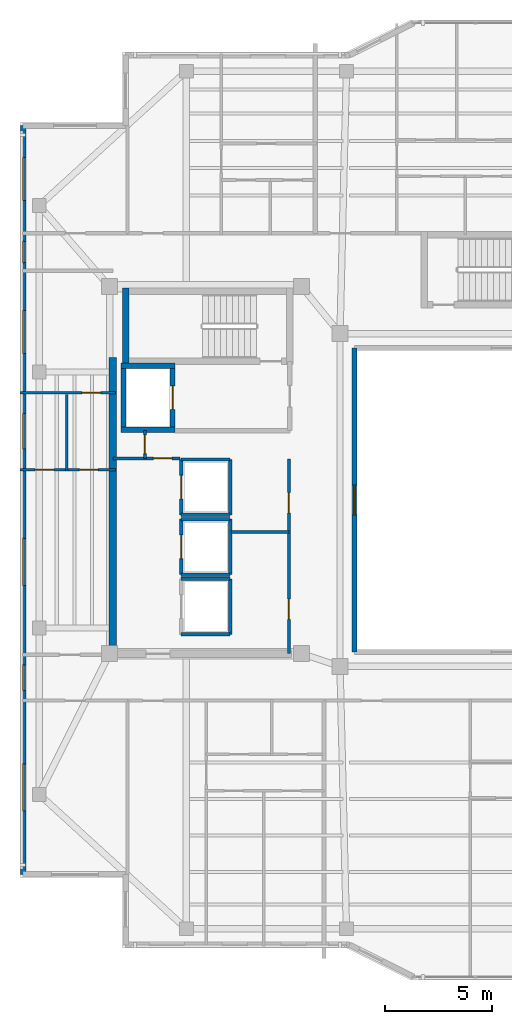
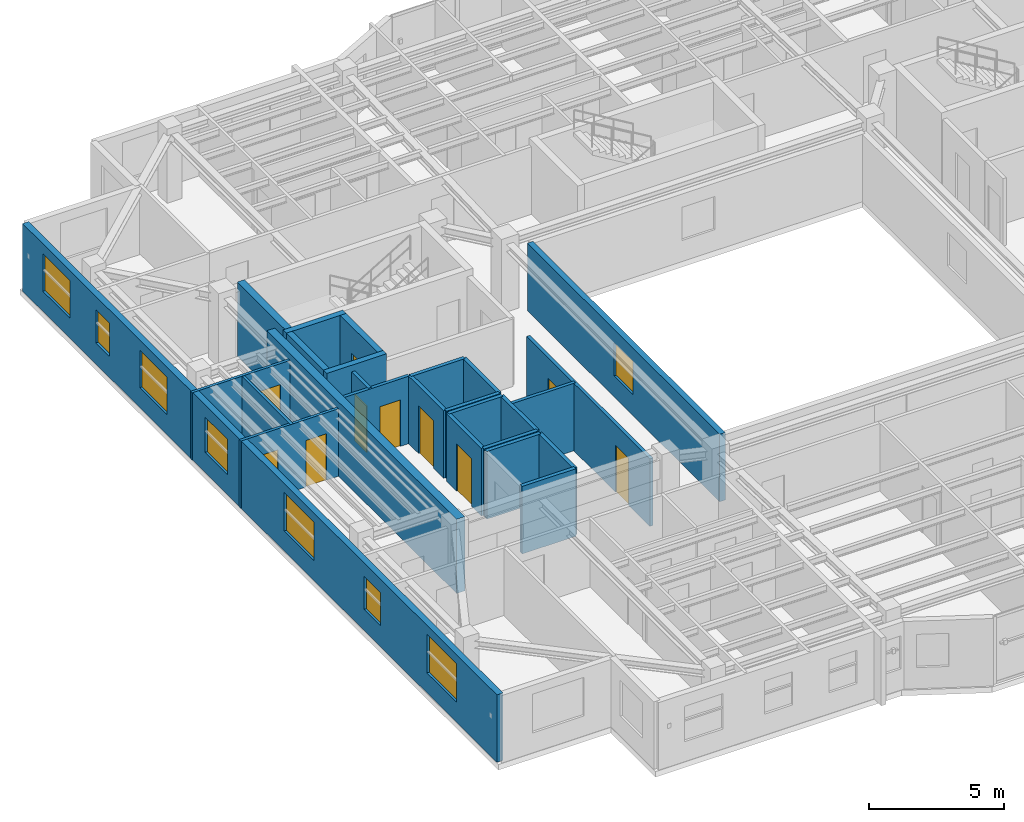
# One storey, part 7 of 15: 26 walls, 10 doors, 8 windows, 18 openings.
"""IFC4 building model written with IfcOpenShell, lengths in metres."""

import ifcopenshell
import ifcopenshell.guid

model = None  # the IFC model being written
_history = None  # IfcOwnerHistory: only IFC2X3 demands one
_inside = {}  # id of a spatial element -> (the spatial element, [elements in it])
_under = {}  # id of a project, library or spatial element -> (it, [spatial elements below it])
_declared = {}  # id of a project -> (the project, [libraries it declares])
_typed = {}  # id of a type object -> (the type object, [elements of that type])
_made_of = {}  # id of a material, layer set ... -> (it, [elements and type objects made of it])


def new_model(schema):
    """Start an empty IFC model of exactly this schema.

    Asked for "IFC4X3", IfcOpenShell would pick the latest addendum, in which some entities
    have other attributes; the version numbers below select the first issue.
    IFC2X3 requires an IfcOwnerHistory on every rooted entity: one is made here for all.
    """
    global model, _history
    if schema == "IFC4X3":
        model = ifcopenshell.file(schema_version=(4, 3, 0, 0))
    else:
        model = ifcopenshell.file(schema=schema)
    _inside.clear()
    _under.clear()
    _declared.clear()
    _typed.clear()
    _made_of.clear()
    _history = None
    if model.schema == "IFC2X3":
        org = make("IfcOrganization", Name="unknown")
        user = make(
            "IfcPersonAndOrganization",
            ThePerson=make("IfcPerson", FamilyName="unknown"),
            TheOrganization=org,
        )
        app = make(
            "IfcApplication",
            ApplicationDeveloper=org,
            Version="unknown",
            ApplicationFullName="unknown",
            ApplicationIdentifier="unknown",
        )
        _history = make(
            "IfcOwnerHistory",
            OwningUser=user,
            OwningApplication=app,
            ChangeAction="ADDED",
            CreationDate=0,
        )
    return model


def make(cls, **values):
    """One entity of the class cls with the attributes given. An attribute that is None is left unset."""
    return model.create_entity(
        cls, **{name: value for name, value in values.items() if value is not None}
    )


def rooted(cls, **values):
    """An entity with a GlobalId (a new one), such as an element, a storey or a relation."""
    return make(cls, GlobalId=ifcopenshell.guid.new(), OwnerHistory=_history, **values)


def si_unit(unit_type, name, prefix=None):
    """IfcSIUnit, for example si_unit("LENGTHUNIT", "METRE", prefix="MILLI")."""
    return make("IfcSIUnit", UnitType=unit_type, Prefix=prefix, Name=name)


def assignment(units):
    """IfcUnitAssignment: the units of a project."""
    return None if units is None else make("IfcUnitAssignment", Units=units)


def point(xyz):
    """IfcCartesianPoint."""
    return None if xyz is None else make("IfcCartesianPoint", Coordinates=xyz)


def direction(xyz):
    """IfcDirection."""
    return None if xyz is None else make("IfcDirection", DirectionRatios=xyz)


def frame(location, z_axis=None, x_axis=None):
    """IfcAxis2Placement3D, a coordinate frame: its origin and axes. An axis left out is left unset."""
    return make(
        "IfcAxis2Placement3D",
        Location=point(location),
        Axis=direction(z_axis),
        RefDirection=direction(x_axis),
    )


def frame_2d(location, x_axis=None):
    """IfcAxis2Placement2D, a coordinate frame in the plane: its origin and x axis."""
    return make(
        "IfcAxis2Placement2D", Location=point(location), RefDirection=direction(x_axis)
    )


def origin():
    """The frame at (0, 0, 0) with its axes left unset."""
    return frame((0.0, 0.0, 0.0))


def place(relative_to, where):
    """IfcLocalPlacement: puts the frame where relative to a parent placement (None: the world)."""
    return make(
        "IfcLocalPlacement", PlacementRelTo=relative_to, RelativePlacement=where
    )


def context(
    kind, dimensions, precision=None, world=None, true_north=None, identifier=None
):
    """IfcGeometricRepresentationContext, for example the 3D "Model" context."""
    return make(
        "IfcGeometricRepresentationContext",
        ContextIdentifier=identifier,
        ContextType=kind,
        CoordinateSpaceDimension=dimensions,
        Precision=precision,
        WorldCoordinateSystem=world,
        TrueNorth=true_north,
    )


def subcontext(parent, identifier, kind, view, scale=None):
    """IfcGeometricRepresentationSubContext, for example "Body" below "Model"."""
    return make(
        "IfcGeometricRepresentationSubContext",
        ContextIdentifier=identifier,
        ContextType=kind,
        ParentContext=parent,
        TargetScale=scale,
        TargetView=view,
    )


def project(units=None, contexts=None):
    """IfcProject with its units and contexts."""
    return rooted(
        "IfcProject",
        Name="project",
        RepresentationContexts=contexts,
        UnitsInContext=assignment(units),
    )


def spatial(cls, under=None, at=None, **own):
    """A site, building, storey or space (cls), placed at a placement, below another one or the project."""
    s = rooted(cls, ObjectPlacement=at, **own)
    if under is not None:
        _under.setdefault(under.id(), (under, []))[1].append(s)
    return s


def profile(cls, at=None, kind="AREA", **sizes):
    """A parametric profile (cls). Its sizes go by their IFC names, for example OverallWidth=200.0."""
    return make(cls, ProfileType=kind, Position=at, **sizes)


def rectangle(**sizes):
    """IfcRectangleProfileDef."""
    return profile("IfcRectangleProfileDef", **sizes)


def extrude(swept, where, along, depth):
    """IfcExtrudedAreaSolid: the profile swept, set in the frame where, extruded along a direction by depth."""
    return make(
        "IfcExtrudedAreaSolid",
        SweptArea=swept,
        Position=where,
        ExtrudedDirection=direction(along),
        Depth=depth,
    )


def shape(context_of_items, identifier, shape_type, items):
    """IfcShapeRepresentation: the items that make up one representation, for example the "Body"."""
    return make(
        "IfcShapeRepresentation",
        ContextOfItems=context_of_items,
        RepresentationIdentifier=identifier,
        RepresentationType=shape_type,
        Items=items,
    )


def material(Name=None, Category=None):
    """IfcMaterial."""
    return make("IfcMaterial", Name=Name, Category=Category)


def layer(
    of_material, thickness, ventilated=None, Name=None, Category=None, Priority=None
):
    """IfcMaterialLayer: one layer of a wall or slab, of a material (None: an air gap)."""
    return make(
        "IfcMaterialLayer",
        Material=of_material,
        LayerThickness=thickness,
        IsVentilated=ventilated,
        Name=Name,
        Category=Category,
        Priority=Priority,
    )


def layer_set(layers, Name=None):
    """IfcMaterialLayerSet."""
    return make("IfcMaterialLayerSet", MaterialLayers=layers, LayerSetName=Name)


def made_of(thing, what):
    """Note that an element or type object is made of a material, layer set ...; save() writes the relation."""
    if what is not None:
        _made_of.setdefault(what.id(), (what, []))[1].append(thing)
    return thing


def type_object(cls, material=None, **own):
    """A type object (cls), such as IfcWallType, which elements share."""
    return made_of(rooted(cls, **own), material)


def element(
    cls,
    number,
    at=None,
    inside=None,
    cuts=None,
    type_object=None,
    material=None,
    context=None,
    identifier="Body",
    shape_type=None,
    held_by="IfcProductDefinitionShape",
    body=None,
    shapes=None,
    **own,
):
    """One element of the class cls, such as IfcWall. Its Tag is "e" and its number.

    at: its placement. inside: the storey or other place that contains it. cuts: it is an
    opening in that element (IfcRelVoidsElement). A single representation is given by context,
    identifier, shape_type and body (its items); several are given by shapes. held_by: the class
    of the entity that holds the representations. save() writes the other relations.
    """
    e = rooted(cls, Tag="e%d" % number, ObjectPlacement=at, **own)
    if body is not None:
        shapes = [shape(context, identifier, shape_type, body)]
    if shapes is not None:
        e.Representation = make(held_by, Representations=shapes)
    if inside is not None:
        _inside.setdefault(inside.id(), (inside, []))[1].append(e)
    if cuts is not None:
        rooted(
            "IfcRelVoidsElement", RelatingBuildingElement=cuts, RelatedOpeningElement=e
        )
    if type_object is not None:
        _typed.setdefault(type_object.id(), (type_object, []))[1].append(e)
    return made_of(e, material)


def fill(opening, filler):
    """IfcRelFillsElement: the door or window that sits in an opening."""
    return rooted(
        "IfcRelFillsElement",
        RelatingOpeningElement=opening,
        RelatedBuildingElement=filler,
    )


def aggregate(whole, parts):
    """IfcRelAggregates: a whole, such as a stair, and the parts it consists of."""
    return rooted("IfcRelAggregates", RelatingObject=whole, RelatedObjects=parts)


def save(model, path):
    """Write the relations noted so far, then the file.

    IfcRelAggregates (storeys below a building ...), IfcRelContainedInSpatialStructure (elements
    in a storey), IfcRelDefinesByType, IfcRelAssociatesMaterial and IfcRelDeclares: one each for
    every whole, place, type object, material and project.
    """
    for whole, parts in _under.values():
        aggregate(whole, parts)
    for where, things in _inside.values():
        rooted(
            "IfcRelContainedInSpatialStructure",
            RelatedElements=things,
            RelatingStructure=where,
        )
    for kind, things in _typed.values():
        rooted("IfcRelDefinesByType", RelatedObjects=things, RelatingType=kind)
    for what, things in _made_of.values():
        rooted("IfcRelAssociatesMaterial", RelatedObjects=things, RelatingMaterial=what)
    for by, libraries in _declared.values():
        rooted("IfcRelDeclares", RelatingContext=by, RelatedDefinitions=libraries)
    model.write(path)


model = new_model("IFC4")

# Units and contexts
model_context = context("Model", 3, precision=1e-05, world=origin(), true_north=direction((0.0, 1.0)))
body_context = subcontext(model_context, "Body", "Model", "MODEL_VIEW")
ifc_project = project(units=[si_unit("LENGTHUNIT", "METRE"), si_unit("AREAUNIT", "SQUARE_METRE"), si_unit("VOLUMEUNIT", "CUBIC_METRE"), si_unit("PLANEANGLEUNIT", "RADIAN"), si_unit("MASSUNIT", "GRAM", prefix="KILO")], contexts=[model_context])

# Site, building, storey
site_placement = place(None, origin())
site = spatial("IfcSite", under=ifc_project, at=site_placement, CompositionType="ELEMENT")
building_placement = place(site_placement, origin())
building = spatial("IfcBuilding", under=site, at=building_placement, Name="Tarnavaz Court Tower", CompositionType="ELEMENT")
storey_placement = place(building_placement, frame((0.0, 0.0, 268.300048828125)))
storey = spatial("IfcBuildingStorey", under=building, at=storey_placement, Name="L73", CompositionType="ELEMENT", Elevation=268.300048828125)

# Wall
ifc_material_1 = material(Name="Concrete C50/60", Category="concrete")
ifc_layer_1 = layer(ifc_material_1, 0.25)
ifc_layer_set_1 = layer_set([ifc_layer_1], Name="Concrete C50/60")
wall_type_1 = type_object("IfcWallType", Name="WL-CORE-250-C50", PredefinedType="SHEAR", material=ifc_layer_set_1)
wall_1_placement = place(storey_placement, frame((-17.949951171875, 3.175048828125, 0.0), z_axis=(0.0, 0.0, 1.0), x_axis=(0.0, 1.0, 0.0)))
element("IfcWall", 1, at=wall_1_placement, inside=storey, type_object=wall_type_1, Name="L73 Lift FL-W1 Shaft Wall 017", PredefinedType="SHEAR", context=body_context, shape_type="SweptSolid", body=[
    extrude(rectangle(XDim=3.25, YDim=0.25, at=frame_2d((1.625, 0.0))), origin(), (0.0, 0.0, 1.0), 3.349853515625),
])

# Wall, opening, door
wall_2_placement = place(storey_placement, frame((-15.64990234375, 3.175048828125, 0.0), z_axis=(0.0, 0.0, 1.0), x_axis=(0.0, 1.0, 0.0)))
wall_2 = element("IfcWall", 2, at=wall_2_placement, inside=storey, type_object=wall_type_1, Name="L73 Lift FL-W1 Shaft Wall 018", PredefinedType="SHEAR", context=body_context, shape_type="SweptSolid", body=[
    extrude(rectangle(XDim=3.25, YDim=0.25, at=frame_2d((1.625, 0.0))), origin(), (0.0, 0.0, 1.0), 3.349853515625),
])
opening_1_placement = place(wall_2_placement, frame((1.074951171875, 0.0, 0.0)))
opening_1 = element("IfcOpeningElement", 3, at=opening_1_placement, cuts=wall_2, Name="Opening LD1", PredefinedType="OPENING", context=body_context, shape_type="SweptSolid", body=[
    extrude(rectangle(XDim=1.10009765625, YDim=2.14990234375, at=frame_2d((0.550048828125, 1.074951171875))), frame((0.0, 0.135009765625, 0.0), z_axis=(0.0, -1.0, 0.0), x_axis=(1.0, 0.0, 0.0)), (0.0, 0.0, 1.0), 0.27001953125),
])
ifc_material_2 = material(Name="Stainless Steel", Category="steel")
door_type_1 = type_object("IfcDoorType", Name="DR-LD-1100", OperationType="NOTDEFINED", PredefinedType="DOOR", material=ifc_material_2)
door_1_placement = place(opening_1_placement, origin())
door_1 = element("IfcDoor", 4, at=door_1_placement, inside=storey, type_object=door_type_1, Name="L73 Lift Landing Door LD-FL-W1", OperationType="SLIDING_TO_LEFT", OverallHeight=2.14990234375, OverallWidth=1.10009765625, PredefinedType="DOOR", context=body_context, shape_type="SweptSolid", body=[
    extrude(rectangle(XDim=1.10009765625, YDim=2.14990234375, at=frame_2d((0.550048828125, 1.074951171875))), frame((0.0, 0.02490234375, 0.0), z_axis=(0.0, -1.0, 0.0), x_axis=(1.0, 0.0, 0.0)), (0.0, 0.0, 1.0), 0.050048828125),
])
fill(opening_1, door_1)

# Walls
for number, where, z_axis, x_axis, name in (
    (5, (-18.074951171875, 3.300048828125, 0.0), (0.0, 0.0, 1.0), (1.0, 0.0, 0.0), "L73 Lift FL-W1 Shaft Wall 019"),
    (6, (-18.074951171875, 6.300048828125, 0.0), (0.0, 0.0, 1.0), (1.0, 0.0, 0.0), "L73 Lift FL-W1 Shaft Wall 020"),
):
    element("IfcWall", number, at=place(storey_placement, frame(where, z_axis=z_axis, x_axis=x_axis)), inside=storey, type_object=wall_type_1, Name=name, PredefinedType="SHEAR", context=body_context, shape_type="SweptSolid", body=[
        extrude(rectangle(XDim=2.550048828125, YDim=0.25, at=frame_2d((1.27490234375, 0.0))), origin(), (0.0, 0.0, 1.0), 3.349853515625),
    ])
ifc_layer_2 = layer(ifc_material_1, 0.300048828125)
ifc_layer_set_2 = layer_set([ifc_layer_2], Name="Concrete C50/60")
wall_type_2 = type_object("IfcWallType", Name="WL-CORE-300-C50", PredefinedType="SHEAR", material=ifc_layer_set_2)
wall_3_placement = place(storey_placement, frame((-17.85009765625, 6.35009765625, 0.0), z_axis=(0.0, 0.0, 1.0), x_axis=(0.0, 1.0, 0.0)))
element("IfcWall", 7, at=wall_3_placement, inside=storey, type_object=wall_type_2, Name="L73 West Stair Core Wall 003", PredefinedType="SHEAR", context=body_context, shape_type="SweptSolid", body=[
    extrude(rectangle(XDim=3.58984375, YDim=0.300048828125, at=frame_2d((1.794921875, 0.0))), origin(), (0.0, 0.0, 1.0), 3.349853515625),
])
ifc_layer_3 = layer(ifc_material_1, 0.35009765625)
ifc_layer_set_3 = layer_set([ifc_layer_3], Name="Concrete C50/60")
wall_type_3 = type_object("IfcWallType", Name="WL-CORE-350-C50", PredefinedType="SHEAR", material=ifc_layer_set_3)
wall_4_placement = place(storey_placement, frame((-18.449951171875, -7.375, 0.0), z_axis=(0.0, 0.0, 1.0), x_axis=(0.0, 1.0, 0.0)))
element("IfcWall", 8, at=wall_4_placement, inside=storey, type_object=wall_type_3, Name="L73 West Core Shear Wall 045", PredefinedType="SHEAR", context=body_context, shape_type="SweptSolid", body=[
    extrude(rectangle(XDim=14.050048828125, YDim=0.35009765625, at=frame_2d((7.02490234375, 0.0))), origin(), (0.0, 0.0, 1.0), 3.349853515625),
])

# Wall, openings, windows
ifc_material_3 = material(Name="Precast Concrete C40/50", Category="concrete")
ifc_layer_4 = layer(ifc_material_3, 0.260009765625)
ifc_layer_set_4 = layer_set([ifc_layer_4], Name="Precast Concrete C40/50")
wall_type_4 = type_object("IfcWallType", Name="WL-EXT-260", PredefinedType="SOLIDWALL", material=ifc_layer_set_4)
wall_5_placement = place(storey_placement, frame((-22.64990234375, -17.550048828125, 0.0), z_axis=(0.0, 0.0, 1.0), x_axis=(0.0, 1.0, 0.0)))
wall_5 = element("IfcWall", 9, at=wall_5_placement, inside=storey, type_object=wall_type_4, Name="L73 Exterior Terracotta Facade Wall 02", PredefinedType="SOLIDWALL", context=body_context, shape_type="SweptSolid", body=[
    extrude(rectangle(XDim=35.10009765625, YDim=0.260009765625, at=frame_2d((17.550048828125, 0.0))), origin(), (0.0, 0.0, 1.0), 3.050048828125),
])
opening_2_placement = place(wall_5_placement, frame((2.97509765625, 0.0, 0.89990234375)))
opening_2 = element("IfcOpeningElement", 10, at=opening_2_placement, cuts=wall_5, Name="Opening W07", PredefinedType="OPENING", context=body_context, shape_type="SweptSolid", body=[
    extrude(rectangle(XDim=2.199951171875, YDim=1.75, at=frame_2d((1.10009765625, 0.875))), frame((0.0, 0.139892578125, 0.0), z_axis=(0.0, -1.0, 0.0), x_axis=(1.0, 0.0, 0.0)), (0.0, 0.0, 1.0), 0.280029296875),
])
opening_3_placement = place(wall_5_placement, frame((8.625, 0.0, 0.949951171875)))
opening_3 = element("IfcOpeningElement", 11, at=opening_3_placement, cuts=wall_5, Name="Opening W05", PredefinedType="OPENING", context=body_context, shape_type="SweptSolid", body=[
    extrude(rectangle(XDim=1.199951171875, YDim=1.5, at=frame_2d((0.60009765625, 0.75))), frame((0.0, 0.139892578125, 0.0), z_axis=(0.0, -1.0, 0.0), x_axis=(1.0, 0.0, 0.0)), (0.0, 0.0, 1.0), 0.280029296875),
])
opening_4_placement = place(wall_5_placement, frame((13.550048828125, 0.0, 0.89990234375)))
opening_4 = element("IfcOpeningElement", 12, at=opening_4_placement, cuts=wall_5, Name="Opening W07", PredefinedType="OPENING", context=body_context, shape_type="SweptSolid", body=[
    extrude(rectangle(XDim=2.199951171875, YDim=1.75, at=frame_2d((1.10009765625, 0.875))), frame((0.0, 0.139892578125, 0.0), z_axis=(0.0, -1.0, 0.0), x_axis=(1.0, 0.0, 0.0)), (0.0, 0.0, 1.0), 0.280029296875),
])
opening_5_placement = place(wall_5_placement, frame((19.949951171875, 0.0, 0.89990234375)))
opening_5 = element("IfcOpeningElement", 13, at=opening_5_placement, cuts=wall_5, Name="Opening W02", PredefinedType="OPENING", context=body_context, shape_type="SweptSolid", body=[
    extrude(rectangle(XDim=1.64990234375, YDim=1.60009765625, at=frame_2d((0.824951171875, 0.800048828125))), frame((0.0, 0.139892578125, 0.0), z_axis=(0.0, -1.0, 0.0), x_axis=(1.0, 0.0, 0.0)), (0.0, 0.0, 1.0), 0.280029296875),
])
opening_6_placement = place(wall_5_placement, frame((24.425048828125, 0.0, 0.89990234375)))
opening_6 = element("IfcOpeningElement", 14, at=opening_6_placement, cuts=wall_5, Name="Opening W08", PredefinedType="OPENING", context=body_context, shape_type="SweptSolid", body=[
    extrude(rectangle(XDim=2.0, YDim=1.699951171875, at=frame_2d((1.0, 0.85009765625))), frame((0.0, 0.139892578125, 0.0), z_axis=(0.0, -1.0, 0.0), x_axis=(1.0, 0.0, 0.0)), (0.0, 0.0, 1.0), 0.280029296875),
])
opening_7_placement = place(wall_5_placement, frame((28.675048828125, 0.0, 0.949951171875)))
opening_7 = element("IfcOpeningElement", 15, at=opening_7_placement, cuts=wall_5, Name="Opening W14", PredefinedType="OPENING", context=body_context, shape_type="SweptSolid", body=[
    extrude(rectangle(XDim=1.0, YDim=1.5, at=frame_2d((0.5, 0.75))), frame((0.0, 0.139892578125, 0.0), z_axis=(0.0, -1.0, 0.0), x_axis=(1.0, 0.0, 0.0)), (0.0, 0.0, 1.0), 0.280029296875),
])
opening_8_placement = place(wall_5_placement, frame((31.60009765625, 0.0, 0.89990234375)))
opening_8 = element("IfcOpeningElement", 16, at=opening_8_placement, cuts=wall_5, Name="Opening W08", PredefinedType="OPENING", context=body_context, shape_type="SweptSolid", body=[
    extrude(rectangle(XDim=2.0, YDim=1.699951171875, at=frame_2d((1.0, 0.85009765625))), frame((0.0, 0.139892578125, 0.0), z_axis=(0.0, -1.0, 0.0), x_axis=(1.0, 0.0, 0.0)), (0.0, 0.0, 1.0), 0.280029296875),
])
ifc_material_4 = material(Name="Double-Glazed Solar Low-E Glass", Category="glass")
window_type_1 = type_object("IfcWindowType", Name="WN-APT-1000", PartitioningType="SINGLE_PANEL", PredefinedType="WINDOW", material=ifc_material_4)
window_1_placement = place(opening_7_placement, origin())
window_1 = element("IfcWindow", 17, at=window_1_placement, inside=storey, type_object=window_type_1, Name="L73 North-West Corner Corridor Window", OverallHeight=1.5, OverallWidth=1.0, PartitioningType="SINGLE_PANEL", PredefinedType="WINDOW", context=body_context, shape_type="SweptSolid", body=[
    extrude(rectangle(XDim=1.0, YDim=1.5, at=frame_2d((0.5, 0.75))), frame((0.0, 0.030029296875, 0.0), z_axis=(0.0, -1.0, 0.0), x_axis=(1.0, 0.0, 0.0)), (0.0, 0.0, 1.0), 0.06005859375),
])
fill(opening_7, window_1)
window_type_2 = type_object("IfcWindowType", Name="WN-APT-1200", PartitioningType="SINGLE_PANEL", PredefinedType="WINDOW", material=ifc_material_4)
window_2_placement = place(opening_3_placement, origin())
window_2 = element("IfcWindow", 18, at=window_2_placement, inside=storey, type_object=window_type_2, Name="L73 South-West Corner Corridor Window", OverallHeight=1.5, OverallWidth=1.199951171875, PartitioningType="SINGLE_PANEL", PredefinedType="WINDOW", context=body_context, shape_type="SweptSolid", body=[
    extrude(rectangle(XDim=1.199951171875, YDim=1.5, at=frame_2d((0.60009765625, 0.75))), frame((0.0, 0.030029296875, 0.0), z_axis=(0.0, -1.0, 0.0), x_axis=(1.0, 0.0, 0.0)), (0.0, 0.0, 1.0), 0.06005859375),
])
fill(opening_3, window_2)
window_type_3 = type_object("IfcWindowType", Name="WN-APT-1650", PartitioningType="DOUBLE_PANEL_VERTICAL", PredefinedType="WINDOW", material=ifc_material_4)
window_3_placement = place(opening_5_placement, origin())
window_3 = element("IfcWindow", 19, at=window_3_placement, inside=storey, type_object=window_type_3, Name="L73 Flat 08 Kitchen Window", OverallHeight=1.60009765625, OverallWidth=1.64990234375, PartitioningType="SINGLE_PANEL", PredefinedType="WINDOW", context=body_context, shape_type="SweptSolid", body=[
    extrude(rectangle(XDim=1.64990234375, YDim=1.60009765625, at=frame_2d((0.824951171875, 0.800048828125))), frame((0.0, 0.030029296875, 0.0), z_axis=(0.0, -1.0, 0.0), x_axis=(1.0, 0.0, 0.0)), (0.0, 0.0, 1.0), 0.06005859375),
])
fill(opening_5, window_3)
window_type_4 = type_object("IfcWindowType", Name="WN-APT-2000", PartitioningType="DOUBLE_PANEL_VERTICAL", PredefinedType="WINDOW", material=ifc_material_4)
window_4_placement = place(opening_6_placement, origin())
window_4 = element("IfcWindow", 20, at=window_4_placement, inside=storey, type_object=window_type_4, Name="L73 Flat 08 Study Room Window", OverallHeight=1.699951171875, OverallWidth=2.0, PartitioningType="SINGLE_PANEL", PredefinedType="WINDOW", context=body_context, shape_type="SweptSolid", body=[
    extrude(rectangle(XDim=2.0, YDim=1.699951171875, at=frame_2d((1.0, 0.85009765625))), frame((0.0, 0.030029296875, 0.0), z_axis=(0.0, -1.0, 0.0), x_axis=(1.0, 0.0, 0.0)), (0.0, 0.0, 1.0), 0.06005859375),
])
fill(opening_6, window_4)
window_5_placement = place(opening_8_placement, origin())
window_5 = element("IfcWindow", 21, at=window_5_placement, inside=storey, type_object=window_type_4, Name="L73 North-West Corner Sunroom Study Window", OverallHeight=1.699951171875, OverallWidth=2.0, PartitioningType="SINGLE_PANEL", PredefinedType="WINDOW", context=body_context, shape_type="SweptSolid", body=[
    extrude(rectangle(XDim=2.0, YDim=1.699951171875, at=frame_2d((1.0, 0.85009765625))), frame((0.0, 0.030029296875, 0.0), z_axis=(0.0, -1.0, 0.0), x_axis=(1.0, 0.0, 0.0)), (0.0, 0.0, 1.0), 0.06005859375),
])
fill(opening_8, window_5)
window_type_5 = type_object("IfcWindowType", Name="WN-APT-2200", PartitioningType="TRIPLE_PANEL_VERTICAL", PredefinedType="WINDOW", material=ifc_material_4)
window_6_placement = place(opening_2_placement, origin())
window_6 = element("IfcWindow", 22, at=window_6_placement, inside=storey, type_object=window_type_5, Name="L73 South-West Corner Reading Room Window", OverallHeight=1.75, OverallWidth=2.199951171875, PartitioningType="SINGLE_PANEL", PredefinedType="WINDOW", context=body_context, shape_type="SweptSolid", body=[
    extrude(rectangle(XDim=2.199951171875, YDim=1.75, at=frame_2d((1.10009765625, 0.875))), frame((0.0, 0.030029296875, 0.0), z_axis=(0.0, -1.0, 0.0), x_axis=(1.0, 0.0, 0.0)), (0.0, 0.0, 1.0), 0.06005859375),
])
fill(opening_2, window_6)
window_7_placement = place(opening_4_placement, origin())
window_7 = element("IfcWindow", 23, at=window_7_placement, inside=storey, type_object=window_type_5, Name="L73 Flat 08 Studio Living and Sleeping Room Window", OverallHeight=1.75, OverallWidth=2.199951171875, PartitioningType="SINGLE_PANEL", PredefinedType="WINDOW", context=body_context, shape_type="SweptSolid", body=[
    extrude(rectangle(XDim=2.199951171875, YDim=1.75, at=frame_2d((1.10009765625, 0.875))), frame((0.0, 0.030029296875, 0.0), z_axis=(0.0, -1.0, 0.0), x_axis=(1.0, 0.0, 0.0)), (0.0, 0.0, 1.0), 0.06005859375),
])
fill(opening_4, window_7)

# Wall, openings, doors
ifc_material_5 = material(Name="Moisture-Resistant Gypsum Board Partition", Category="masonry")
ifc_layer_5 = layer(ifc_material_5, 0.1201171875)
ifc_layer_set_5 = layer_set([ifc_layer_5], Name="Moisture-Resistant Gypsum Board Partition")
wall_type_5 = type_object("IfcWallType", Name="WL-PART-120", PredefinedType="PARTITIONING", material=ifc_layer_set_5)
wall_6_placement = place(storey_placement, frame((-22.800048828125, 1.419921875, 0.0), z_axis=(0.0, 0.0, 1.0), x_axis=(1.0, 0.0, 0.0)))
wall_6 = element("IfcWall", 24, at=wall_6_placement, inside=storey, type_object=wall_type_5, Name="L73 Interior Partition 123", PredefinedType="PARTITIONING", context=body_context, shape_type="SweptSolid", body=[
    extrude(rectangle(XDim=4.469970703125, YDim=0.1201171875, at=frame_2d((2.23486328125, 0.0))), origin(), (0.0, 0.0, 1.0), 3.050048828125),
])
opening_9_placement = place(wall_6_placement, frame((0.712890625, 0.0, 0.0)))
opening_9 = element("IfcOpeningElement", 25, at=opening_9_placement, cuts=wall_6, Name="Opening D14", PredefinedType="OPENING", context=body_context, shape_type="SweptSolid", body=[
    extrude(rectangle(XDim=0.8798828125, YDim=2.10009765625, at=frame_2d((0.43994140625, 1.050048828125))), frame((0.0, 0.070068359375, 0.0), z_axis=(0.0, -1.0, 0.0), x_axis=(1.0, 0.0, 0.0)), (0.0, 0.0, 1.0), 0.14013671875),
])
opening_10_placement = place(wall_6_placement, frame((2.778076171875, 0.0, 0.0)))
opening_10 = element("IfcOpeningElement", 26, at=opening_10_placement, cuts=wall_6, Name="Opening D14", PredefinedType="OPENING", context=body_context, shape_type="SweptSolid", body=[
    extrude(rectangle(XDim=0.8798828125, YDim=2.10009765625, at=frame_2d((0.43994140625, 1.050048828125))), frame((0.0, 0.070068359375, 0.0), z_axis=(0.0, -1.0, 0.0), x_axis=(1.0, 0.0, 0.0)), (0.0, 0.0, 1.0), 0.14013671875),
])
ifc_material_6 = material(Name="Engineered Oak Timber", Category="wood")
door_type_2 = type_object("IfcDoorType", Name="DR-INT-900", OperationType="NOTDEFINED", PredefinedType="DOOR", material=ifc_material_6)
door_2_placement = place(opening_9_placement, origin())
door_2 = element("IfcDoor", 27, at=door_2_placement, inside=storey, type_object=door_type_2, Name="L73 Flat 08 Kitchen Door", OperationType="SINGLE_SWING_RIGHT", OverallHeight=2.10009765625, OverallWidth=0.8798828125, PredefinedType="DOOR", context=body_context, shape_type="SweptSolid", body=[
    extrude(rectangle(XDim=0.8798828125, YDim=2.10009765625, at=frame_2d((0.43994140625, 1.050048828125))), frame((0.0, 0.02490234375, 0.0), z_axis=(0.0, -1.0, 0.0), x_axis=(1.0, 0.0, 0.0)), (0.0, 0.0, 1.0), 0.050048828125),
])
fill(opening_9, door_2)
door_3_placement = place(opening_10_placement, origin())
door_3 = element("IfcDoor", 28, at=door_3_placement, inside=storey, type_object=door_type_2, Name="L73 Flat 08 Bathroom Door", OperationType="SINGLE_SWING_LEFT", OverallHeight=2.10009765625, OverallWidth=0.8798828125, PredefinedType="DOOR", context=body_context, shape_type="SweptSolid", body=[
    extrude(rectangle(XDim=0.8798828125, YDim=2.10009765625, at=frame_2d((0.43994140625, 1.050048828125))), frame((0.0, 0.02490234375, 0.0), z_axis=(0.0, -1.0, 0.0), x_axis=(1.0, 0.0, 0.0)), (0.0, 0.0, 1.0), 0.050048828125),
])
fill(opening_10, door_3)

# Wall, opening, door
wall_7_placement = place(storey_placement, frame((-22.800048828125, 5.02001953125, 0.0), z_axis=(0.0, 0.0, 1.0), x_axis=(1.0, 0.0, 0.0)))
wall_7 = element("IfcWall", 29, at=wall_7_placement, inside=storey, type_object=wall_type_5, Name="L73 Interior Partition 124", PredefinedType="PARTITIONING", context=body_context, shape_type="SweptSolid", body=[
    extrude(rectangle(XDim=4.469970703125, YDim=0.1201171875, at=frame_2d((2.23486328125, 0.0))), origin(), (0.0, 0.0, 1.0), 3.050048828125),
])
opening_11_placement = place(wall_7_placement, frame((2.89990234375, 0.0, 0.0)))
opening_11 = element("IfcOpeningElement", 30, at=opening_11_placement, cuts=wall_7, Name="Opening D14", PredefinedType="OPENING", context=body_context, shape_type="SweptSolid", body=[
    extrude(rectangle(XDim=0.8798828125, YDim=2.10009765625, at=frame_2d((0.43994140625, 1.050048828125))), frame((0.0, 0.070068359375, 0.0), z_axis=(0.0, -1.0, 0.0), x_axis=(1.0, 0.0, 0.0)), (0.0, 0.0, 1.0), 0.14013671875),
])
door_4_placement = place(opening_11_placement, origin())
door_4 = element("IfcDoor", 31, at=door_4_placement, inside=storey, type_object=door_type_2, Name="L73 Flat 08 Study Door", OperationType="SINGLE_SWING_RIGHT", OverallHeight=2.10009765625, OverallWidth=0.8798828125, PredefinedType="DOOR", context=body_context, shape_type="SweptSolid", body=[
    extrude(rectangle(XDim=0.8798828125, YDim=2.10009765625, at=frame_2d((0.43994140625, 1.050048828125))), frame((0.0, 0.02490234375, 0.0), z_axis=(0.0, -1.0, 0.0), x_axis=(1.0, 0.0, 0.0)), (0.0, 0.0, 1.0), 0.050048828125),
])
fill(opening_11, door_4)

# Wall
wall_8_placement = place(storey_placement, frame((-20.614990234375, 1.360107421875, 0.0), z_axis=(0.0, 0.0, 1.0), x_axis=(0.0, 1.0, 0.0)))
element("IfcWall", 32, at=wall_8_placement, inside=storey, type_object=wall_type_5, Name="L73 Interior Partition 125", PredefinedType="PARTITIONING", context=body_context, shape_type="SweptSolid", body=[
    extrude(rectangle(XDim=3.579833984375, YDim=0.1201171875, at=frame_2d((1.7900390625, 0.0))), origin(), (0.0, 0.0, 1.0), 3.050048828125),
])

# Wall, opening, door
ifc_material_7 = material(Name="Gypsum Plasterboard Acoustic Partition", Category="masonry")
ifc_layer_6 = layer(ifc_material_7, 0.139892578125)
ifc_layer_set_6 = layer_set([ifc_layer_6], Name="Gypsum Plasterboard Acoustic Partition")
wall_type_6 = type_object("IfcWallType", Name="WL-PART-150", PredefinedType="PARTITIONING", material=ifc_layer_set_6)
wall_9_placement = place(storey_placement, frame((-18.449951171875, 1.949951171875, 0.0), z_axis=(0.0, 0.0, 1.0), x_axis=(1.0, 0.0, 0.0)))
wall_9 = element("IfcWall", 33, at=wall_9_placement, inside=storey, type_object=wall_type_6, Name="L73 Interior Partition 049", PredefinedType="PARTITIONING", context=body_context, shape_type="SweptSolid", body=[
    extrude(rectangle(XDim=3.14990234375, YDim=0.139892578125, at=frame_2d((1.574951171875, 0.0))), origin(), (0.0, 0.0, 1.0), 3.050048828125),
])
opening_12_placement = place(wall_9_placement, frame((1.89990234375, 0.0, 0.0)))
opening_12 = element("IfcOpeningElement", 34, at=opening_12_placement, cuts=wall_9, Name="Opening D14", PredefinedType="OPENING", context=body_context, shape_type="SweptSolid", body=[
    extrude(rectangle(XDim=0.8798828125, YDim=2.10009765625, at=frame_2d((0.43994140625, 1.050048828125))), frame((0.0, 0.079833984375, 0.0), z_axis=(0.0, -1.0, 0.0), x_axis=(1.0, 0.0, 0.0)), (0.0, 0.0, 1.0), 0.159912109375),
])
door_5_placement = place(opening_12_placement, origin())
door_5 = element("IfcDoor", 35, at=door_5_placement, inside=storey, type_object=door_type_2, Name="L73 West Sky Switchgear Door", OperationType="SINGLE_SWING_RIGHT", OverallHeight=2.10009765625, OverallWidth=0.8798828125, PredefinedType="DOOR", context=body_context, shape_type="SweptSolid", body=[
    extrude(rectangle(XDim=0.8798828125, YDim=2.10009765625, at=frame_2d((0.43994140625, 1.050048828125))), frame((0.0, 0.02490234375, 0.0), z_axis=(0.0, -1.0, 0.0), x_axis=(1.0, 0.0, 0.0)), (0.0, 0.0, 1.0), 0.050048828125),
])
fill(opening_12, door_5)

wall_10_placement = place(storey_placement, frame((-16.949951171875, 1.949951171875, 0.0), z_axis=(0.0, 0.0, 1.0), x_axis=(0.0, 1.0, 0.0)))
wall_10 = element("IfcWall", 36, at=wall_10_placement, inside=storey, type_object=wall_type_6, Name="L73 Interior Partition 050", PredefinedType="PARTITIONING", context=body_context, shape_type="SweptSolid", body=[
    extrude(rectangle(XDim=1.300048828125, YDim=0.139892578125, at=frame_2d((0.64990234375, 0.0))), origin(), (0.0, 0.0, 1.0), 3.050048828125),
])
opening_13_placement = place(wall_10_placement, frame((0.219970703125, 0.0, 0.0)))
opening_13 = element("IfcOpeningElement", 37, at=opening_13_placement, cuts=wall_10, Name="Opening D14", PredefinedType="OPENING", context=body_context, shape_type="SweptSolid", body=[
    extrude(rectangle(XDim=0.8798828125, YDim=2.10009765625, at=frame_2d((0.43994140625, 1.050048828125))), frame((0.0, 0.079833984375, 0.0), z_axis=(0.0, -1.0, 0.0), x_axis=(1.0, 0.0, 0.0)), (0.0, 0.0, 1.0), 0.159912109375),
])
door_6_placement = place(opening_13_placement, origin())
door_6 = element("IfcDoor", 38, at=door_6_placement, inside=storey, type_object=door_type_2, Name="L73 West Sky Telecom Door", OperationType="SINGLE_SWING_LEFT", OverallHeight=2.10009765625, OverallWidth=0.8798828125, PredefinedType="DOOR", context=body_context, shape_type="SweptSolid", body=[
    extrude(rectangle(XDim=0.8798828125, YDim=2.10009765625, at=frame_2d((0.43994140625, 1.050048828125))), frame((0.0, 0.02490234375, 0.0), z_axis=(0.0, -1.0, 0.0), x_axis=(1.0, 0.0, 0.0)), (0.0, 0.0, 1.0), 0.050048828125),
])
fill(opening_13, door_6)

# Wall, openings, doors
wall_11_placement = place(storey_placement, frame((-10.199951171875, -7.199951171875, 0.0), z_axis=(0.0, 0.0, 1.0), x_axis=(0.0, 1.0, 0.0)))
wall_11 = element("IfcWall", 39, at=wall_11_placement, inside=storey, type_object=wall_type_6, Name="L73 West Reclaimed Core Wall 051", PredefinedType="PARTITIONING", context=body_context, shape_type="SweptSolid", body=[
    extrude(rectangle(XDim=9.119873046875, YDim=0.139892578125, at=frame_2d((4.56005859375, 0.0))), origin(), (0.0, 0.0, 1.0), 3.050048828125),
])
opening_14_placement = place(wall_11_placement, frame((1.60009765625, 0.0, 0.0)))
opening_14 = element("IfcOpeningElement", 40, at=opening_14_placement, cuts=wall_11, Name="Opening D08", PredefinedType="OPENING", context=body_context, shape_type="SweptSolid", body=[
    extrude(rectangle(XDim=0.949951171875, YDim=2.1201171875, at=frame_2d((0.47509765625, 1.06005859375))), frame((0.0, 0.079833984375, 0.0), z_axis=(0.0, -1.0, 0.0), x_axis=(1.0, 0.0, 0.0)), (0.0, 0.0, 1.0), 0.159912109375),
])
opening_15_placement = place(wall_11_placement, frame((6.60009765625, 0.0, 0.0)))
opening_15 = element("IfcOpeningElement", 41, at=opening_15_placement, cuts=wall_11, Name="Opening D08", PredefinedType="OPENING", context=body_context, shape_type="SweptSolid", body=[
    extrude(rectangle(XDim=0.949951171875, YDim=2.1201171875, at=frame_2d((0.47509765625, 1.06005859375))), frame((0.0, 0.079833984375, 0.0), z_axis=(0.0, -1.0, 0.0), x_axis=(1.0, 0.0, 0.0)), (0.0, 0.0, 1.0), 0.159912109375),
])
ifc_material_8 = material(Name="Fire-Rated Hardwood Timber Core", Category="wood")
door_type_3 = type_object("IfcDoorType", Name="DR-FD30-950", OperationType="NOTDEFINED", PredefinedType="DOOR", material=ifc_material_8)
door_7_placement = place(opening_14_placement, origin())
door_7 = element("IfcDoor", 42, at=door_7_placement, inside=storey, type_object=door_type_3, Name="L73 West Study Room Door", OperationType="SINGLE_SWING_RIGHT", OverallHeight=2.1201171875, OverallWidth=0.949951171875, PredefinedType="DOOR", context=body_context, shape_type="SweptSolid", body=[
    extrude(rectangle(XDim=0.949951171875, YDim=2.1201171875, at=frame_2d((0.47509765625, 1.06005859375))), frame((0.0, 0.02490234375, 0.0), z_axis=(0.0, -1.0, 0.0), x_axis=(1.0, 0.0, 0.0)), (0.0, 0.0, 1.0), 0.050048828125),
])
fill(opening_14, door_7)
door_8_placement = place(opening_15_placement, origin())
door_8 = element("IfcDoor", 43, at=door_8_placement, inside=storey, type_object=door_type_3, Name="L73 West Laundry Room Door", OperationType="SINGLE_SWING_LEFT", OverallHeight=2.1201171875, OverallWidth=0.949951171875, PredefinedType="DOOR", context=body_context, shape_type="SweptSolid", body=[
    extrude(rectangle(XDim=0.949951171875, YDim=2.1201171875, at=frame_2d((0.47509765625, 1.06005859375))), frame((0.0, 0.02490234375, 0.0), z_axis=(0.0, -1.0, 0.0), x_axis=(1.0, 0.0, 0.0)), (0.0, 0.0, 1.0), 0.050048828125),
])
fill(opening_15, door_8)

# Walls
wall_12_placement = place(storey_placement, frame((-12.89990234375, -1.5, 0.0), z_axis=(0.0, 0.0, 1.0), x_axis=(1.0, 0.0, 0.0)))
element("IfcWall", 44, at=wall_12_placement, inside=storey, type_object=wall_type_6, Name="L73 Interior Partition 052", PredefinedType="PARTITIONING", context=body_context, shape_type="SweptSolid", body=[
    extrude(rectangle(XDim=2.699951171875, YDim=0.139892578125, at=frame_2d((1.35009765625, 0.0))), origin(), (0.0, 0.0, 1.0), 3.050048828125),
])
ifc_material_9 = material(Name="Autoclaved Aerated Concrete Blockwork", Category="masonry")
ifc_layer_7 = layer(ifc_material_9, 0.159912109375)
ifc_layer_set_7 = layer_set([ifc_layer_7], Name="Autoclaved Aerated Concrete Blockwork")
wall_type_7 = type_object("IfcWallType", Name="WL-SHAFT-150", PredefinedType="SOLIDWALL", material=ifc_layer_set_7)
wall_13_placement = place(storey_placement, frame((-12.949951171875, -6.300048828125, 0.0), z_axis=(0.0, 0.0, 1.0), x_axis=(0.0, 1.0, 0.0)))
element("IfcWall", 45, at=wall_13_placement, inside=storey, type_object=wall_type_7, Name="L73 Lift PL-H1 Shaft Wall 022", PredefinedType="SOLIDWALL", context=body_context, shape_type="SweptSolid", body=[
    extrude(rectangle(XDim=2.60009765625, YDim=0.159912109375, at=frame_2d((1.300048828125, 0.0))), origin(), (0.0, 0.0, 1.0), 3.050048828125),
])
for number, where, z_axis, x_axis, name in (
    (46, (-15.25, -6.300048828125, 0.0), (0.0, 0.0, 1.0), (1.0, 0.0, 0.0), "L73 Lift PL-H1 Shaft Wall 023"),
    (47, (-15.25, -3.699951171875, 0.0), (0.0, 0.0, 1.0), (1.0, 0.0, 0.0), "L73 Lift PL-H1 Shaft Wall 024"),
):
    element("IfcWall", number, at=place(storey_placement, frame(where, z_axis=z_axis, x_axis=x_axis)), inside=storey, type_object=wall_type_7, Name=name, PredefinedType="SOLIDWALL", context=body_context, shape_type="SweptSolid", body=[
        extrude(rectangle(XDim=2.300048828125, YDim=0.159912109375, at=frame_2d((1.14990234375, 0.0))), origin(), (0.0, 0.0, 1.0), 3.050048828125),
    ])

# Wall, opening, door
wall_14_placement = place(storey_placement, frame((-15.25, -3.5, 0.0), z_axis=(0.0, 0.0, 1.0), x_axis=(0.0, 1.0, 0.0)))
wall_14 = element("IfcWall", 48, at=wall_14_placement, inside=storey, type_object=wall_type_7, Name="L73 Lift PL-H2 Shaft Wall 025", PredefinedType="SOLIDWALL", context=body_context, shape_type="SweptSolid", body=[
    extrude(rectangle(XDim=2.60009765625, YDim=0.159912109375, at=frame_2d((1.300048828125, 0.0))), origin(), (0.0, 0.0, 1.0), 3.050048828125),
])
opening_16_placement = place(wall_14_placement, frame((0.75, 0.0, 0.0)))
opening_16 = element("IfcOpeningElement", 49, at=opening_16_placement, cuts=wall_14, Name="Opening LD1", PredefinedType="OPENING", context=body_context, shape_type="SweptSolid", body=[
    extrude(rectangle(XDim=1.10009765625, YDim=2.14990234375, at=frame_2d((0.550048828125, 1.074951171875))), frame((0.0, 0.08984375, 0.0), z_axis=(0.0, -1.0, 0.0), x_axis=(1.0, 0.0, 0.0)), (0.0, 0.0, 1.0), 0.179931640625),
])
door_9_placement = place(opening_16_placement, origin())
door_9 = element("IfcDoor", 50, at=door_9_placement, inside=storey, type_object=door_type_1, Name="L73 Lift Landing Door LD-PL-H2", OperationType="SLIDING_TO_LEFT", OverallHeight=2.14990234375, OverallWidth=1.10009765625, PredefinedType="DOOR", context=body_context, shape_type="SweptSolid", body=[
    extrude(rectangle(XDim=1.10009765625, YDim=2.14990234375, at=frame_2d((0.550048828125, 1.074951171875))), frame((0.0, 0.02490234375, 0.0), z_axis=(0.0, -1.0, 0.0), x_axis=(1.0, 0.0, 0.0)), (0.0, 0.0, 1.0), 0.050048828125),
])
fill(opening_16, door_9)

# Walls
wall_15_placement = place(storey_placement, frame((-12.949951171875, -3.5, 0.0), z_axis=(0.0, 0.0, 1.0), x_axis=(0.0, 1.0, 0.0)))
element("IfcWall", 51, at=wall_15_placement, inside=storey, type_object=wall_type_7, Name="L73 Lift PL-H2 Shaft Wall 026", PredefinedType="SOLIDWALL", context=body_context, shape_type="SweptSolid", body=[
    extrude(rectangle(XDim=2.60009765625, YDim=0.159912109375, at=frame_2d((1.300048828125, 0.0))), origin(), (0.0, 0.0, 1.0), 3.050048828125),
])
for number, where, z_axis, x_axis, name in (
    (52, (-15.25, -3.5, 0.0), (0.0, 0.0, 1.0), (1.0, 0.0, 0.0), "L73 Lift PL-H2 Shaft Wall 027"),
    (53, (-15.25, -0.89990234375, 0.0), (0.0, 0.0, 1.0), (1.0, 0.0, 0.0), "L73 Lift PL-H2 Shaft Wall 028"),
):
    element("IfcWall", number, at=place(storey_placement, frame(where, z_axis=z_axis, x_axis=x_axis)), inside=storey, type_object=wall_type_7, Name=name, PredefinedType="SOLIDWALL", context=body_context, shape_type="SweptSolid", body=[
        extrude(rectangle(XDim=2.300048828125, YDim=0.159912109375, at=frame_2d((1.14990234375, 0.0))), origin(), (0.0, 0.0, 1.0), 3.050048828125),
    ])

# Wall, opening, door
wall_16_placement = place(storey_placement, frame((-15.25, -0.699951171875, 0.0), z_axis=(0.0, 0.0, 1.0), x_axis=(0.0, 1.0, 0.0)))
wall_16 = element("IfcWall", 54, at=wall_16_placement, inside=storey, type_object=wall_type_7, Name="L73 Lift PL-H3 Shaft Wall 029", PredefinedType="SOLIDWALL", context=body_context, shape_type="SweptSolid", body=[
    extrude(rectangle(XDim=2.599853515625, YDim=0.159912109375, at=frame_2d((1.2998046875, 0.0))), origin(), (0.0, 0.0, 1.0), 3.050048828125),
])
opening_17_placement = place(wall_16_placement, frame((0.75, 0.0, 0.0)))
opening_17 = element("IfcOpeningElement", 55, at=opening_17_placement, cuts=wall_16, Name="Opening LD1", PredefinedType="OPENING", context=body_context, shape_type="SweptSolid", body=[
    extrude(rectangle(XDim=1.10009765625, YDim=2.14990234375, at=frame_2d((0.550048828125, 1.074951171875))), frame((0.0, 0.08984375, 0.0), z_axis=(0.0, -1.0, 0.0), x_axis=(1.0, 0.0, 0.0)), (0.0, 0.0, 1.0), 0.179931640625),
])
door_10_placement = place(opening_17_placement, origin())
door_10 = element("IfcDoor", 56, at=door_10_placement, inside=storey, type_object=door_type_1, Name="L73 Lift Landing Door LD-PL-H3", OperationType="SLIDING_TO_LEFT", OverallHeight=2.14990234375, OverallWidth=1.10009765625, PredefinedType="DOOR", context=body_context, shape_type="SweptSolid", body=[
    extrude(rectangle(XDim=1.10009765625, YDim=2.14990234375, at=frame_2d((0.550048828125, 1.074951171875))), frame((0.0, 0.02490234375, 0.0), z_axis=(0.0, -1.0, 0.0), x_axis=(1.0, 0.0, 0.0)), (0.0, 0.0, 1.0), 0.050048828125),
])
fill(opening_17, door_10)

# Walls
wall_17_placement = place(storey_placement, frame((-12.949951171875, -0.699951171875, 0.0), z_axis=(0.0, 0.0, 1.0), x_axis=(0.0, 1.0, 0.0)))
element("IfcWall", 57, at=wall_17_placement, inside=storey, type_object=wall_type_7, Name="L73 Lift PL-H3 Shaft Wall 030", PredefinedType="SOLIDWALL", context=body_context, shape_type="SweptSolid", body=[
    extrude(rectangle(XDim=2.599853515625, YDim=0.159912109375, at=frame_2d((1.2998046875, 0.0))), origin(), (0.0, 0.0, 1.0), 3.050048828125),
])
for number, where, z_axis, x_axis, name in (
    (58, (-15.25, -0.699951171875, 0.0), (0.0, 0.0, 1.0), (1.0, 0.0, 0.0), "L73 Lift PL-H3 Shaft Wall 031"),
    (59, (-15.25, 1.89990234375, 0.0), (0.0, 0.0, 1.0), (1.0, 0.0, 0.0), "L73 Lift PL-H3 Shaft Wall 032"),
):
    element("IfcWall", number, at=place(storey_placement, frame(where, z_axis=z_axis, x_axis=x_axis)), inside=storey, type_object=wall_type_7, Name=name, PredefinedType="SOLIDWALL", context=body_context, shape_type="SweptSolid", body=[
        extrude(rectangle(XDim=2.300048828125, YDim=0.159912109375, at=frame_2d((1.14990234375, 0.0))), origin(), (0.0, 0.0, 1.0), 3.050048828125),
    ])

# Wall, opening, window
ifc_layer_8 = layer(ifc_material_3, 0.239990234375)
ifc_layer_set_8 = layer_set([ifc_layer_8], Name="Precast Concrete C40/50")
wall_type_8 = type_object("IfcWallType", Name="WL-WELL-240", PredefinedType="SOLIDWALL", material=ifc_layer_set_8)
wall_18_placement = place(storey_placement, frame((-7.1201171875, 7.1201171875, 0.0), z_axis=(0.0, 0.0, 1.0), x_axis=(0.0, -1.0, 0.0)))
wall_18 = element("IfcWall", 60, at=wall_18_placement, inside=storey, type_object=wall_type_8, Name="L73 Badgir Light-Well Exterior Wall W", PredefinedType="SOLIDWALL", context=body_context, shape_type="SweptSolid", body=[
    extrude(rectangle(XDim=14.240234375, YDim=0.239990234375, at=frame_2d((7.1201171875, 0.0))), origin(), (0.0, 0.0, 1.0), 3.050048828125),
])
opening_18_placement = place(wall_18_placement, frame((6.419921875, 0.0, 0.949951171875)))
opening_18 = element("IfcOpeningElement", 61, at=opening_18_placement, cuts=wall_18, Name="Opening W13", PredefinedType="OPENING", context=body_context, shape_type="SweptSolid", body=[
    extrude(rectangle(XDim=1.39990234375, YDim=1.5, at=frame_2d((0.699951171875, 0.75))), frame((0.0, 0.1298828125, 0.0), z_axis=(0.0, -1.0, 0.0), x_axis=(1.0, 0.0, 0.0)), (0.0, 0.0, 1.0), 0.260009765625),
])
window_type_6 = type_object("IfcWindowType", Name="WN-WEL-1400", PartitioningType="SINGLE_PANEL", PredefinedType="WINDOW", material=ifc_material_4)
window_8_placement = place(opening_18_placement, origin())
window_8 = element("IfcWindow", 62, at=window_8_placement, inside=storey, type_object=window_type_6, Name="L73 Courtyard Gallery Window W", OverallHeight=1.5, OverallWidth=1.39990234375, PartitioningType="SINGLE_PANEL", PredefinedType="WINDOW", context=body_context, shape_type="SweptSolid", body=[
    extrude(rectangle(XDim=1.39990234375, YDim=1.5, at=frame_2d((0.699951171875, 0.75))), frame((0.0, 0.030029296875, 0.0), z_axis=(0.0, -1.0, 0.0), x_axis=(1.0, 0.0, 0.0)), (0.0, 0.0, 1.0), 0.06005859375),
])
fill(opening_18, window_8)

save(model, "model.ifc")
